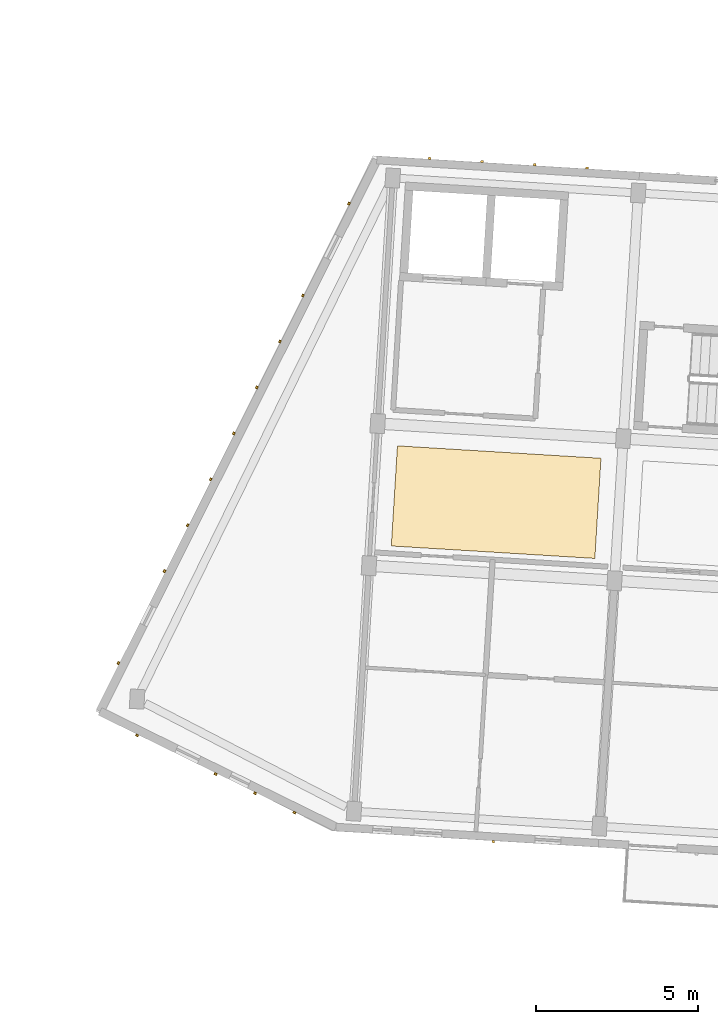
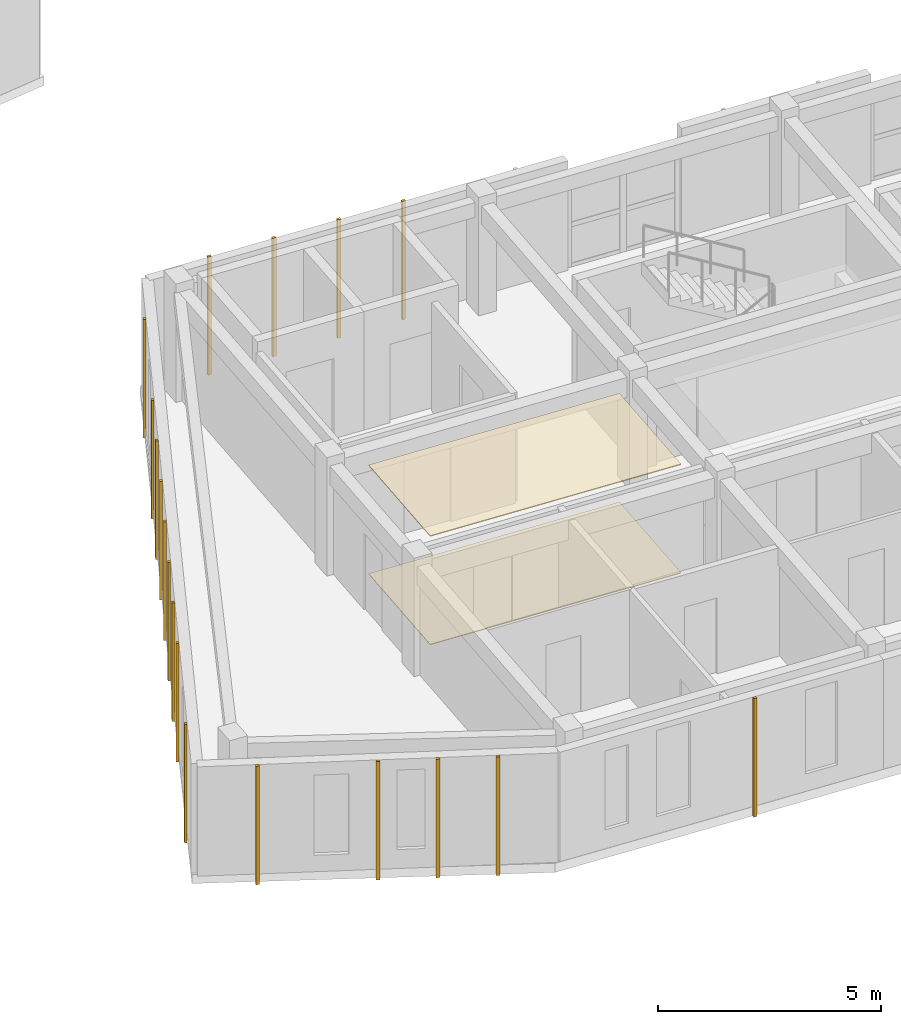
# One storey, part 39 of 64: 20 coverings.
"""IFC4 building model written with IfcOpenShell, lengths in metres."""

from ifc_helpers import new_model, si_unit, direction, frame, origin, origin_2d, place, context, subcontext, project, spatial, polyline, rectangle, outline, extrude, material, layer, layer_set, type_object, element, save


model = new_model("IFC4")

# Units and contexts
model_context = context("Model", 3, precision=1e-05, world=origin(), true_north=direction((0.0, 1.0)))
body_context = subcontext(model_context, "Body", "Model", "MODEL_VIEW")
ifc_project = project(units=[si_unit("LENGTHUNIT", "METRE"), si_unit("AREAUNIT", "SQUARE_METRE"), si_unit("VOLUMEUNIT", "CUBIC_METRE"), si_unit("PLANEANGLEUNIT", "RADIAN"), si_unit("MASSUNIT", "GRAM", prefix="KILO")], contexts=[model_context])

# Site, building, storey
site_placement = place(None, origin())
site = spatial("IfcSite", under=ifc_project, at=site_placement, CompositionType="ELEMENT")
building_placement = place(site_placement, origin())
building = spatial("IfcBuilding", under=site, at=building_placement, Name="Kestramere Prow Commons", CompositionType="ELEMENT")
storey_placement = place(building_placement, frame((0.0, 0.0, 24.64990234375)))
storey = spatial("IfcBuildingStorey", under=building, at=storey_placement, Name="L07", CompositionType="ELEMENT", Elevation=24.64990234375)

# Coverings
ifc_material_1 = material(Name="Mineral Fibre Acoustic Ceiling Tile")
ifc_layer_1 = layer(ifc_material_1, 0.02490234375)
ifc_layer_set_1 = layer_set([ifc_layer_1], Name="Mineral Fibre Acoustic Ceiling Tile")
covering_type_1 = type_object("IfcCoveringType", Name="COV-CEIL-ACOUSTIC", PredefinedType="CEILING", material=ifc_layer_set_1)
covering_1_placement = place(storey_placement, frame((0.0, 0.0, 2.97509765625)))
element("IfcCovering", 1, at=covering_1_placement, inside=storey, type_object=covering_type_1, Name="Block C L07 Corridor Acoustic Ceiling 1", PredefinedType="CEILING", context=body_context, shape_type="SweptSolid", body=[
    extrude(outline(polyline([(60.65234375, 54.69482421875), (66.940673828125, 54.310302734375), (67.1298828125, 57.404541015625), (60.841796875, 57.7890625), (60.65234375, 54.69482421875)])), origin(), (0.0, 0.0, 1.0), 0.02490234375),
])
ifc_material_2 = material(Name="Weathered Zinc-Titanium Standing-Seam Cladding")
ifc_layer_2 = layer(ifc_material_2, 0.074951171875)
ifc_layer_set_2 = layer_set([ifc_layer_2], Name="Weathered Zinc-Titanium Standing-Seam Cladding")
covering_type_2 = type_object("IfcCoveringType", Name="COV-CLAD-SEAM", PredefinedType="CLADDING", material=ifc_layer_set_2)
for number, where, z_axis, x_axis, name in (
    (2, (63.800537109375, 45.55810546875, -0.25), (0.0, 0.0, 1.0), (-0.998134798422, 0.061048539535, 0.0), "EW-C-L07-S-0 Standing-Seam Rib 2"),
    (3, (61.8359375, 66.672607421875, -0.25), (0.0, 0.0, 1.0), (0.998134798422, -0.061048539535, 0.0), "EW-C-L07-N-0 Standing-Seam Rib 1"),
    (4, (63.457763671875, 66.5732421875, -0.25), (0.0, 0.0, 1.0), (0.998134798422, -0.061048539535, 0.0), "EW-C-L07-N-0 Standing-Seam Rib 2"),
    (5, (65.079833984375, 66.47412109375, -0.25), (0.0, 0.0, 1.0), (0.998134798422, -0.061048539535, 0.0), "EW-C-L07-N-0 Standing-Seam Rib 3"),
    (6, (66.70166015625, 66.375, -0.25), (0.0, 0.0, 1.0), (0.998134798422, -0.061048539535, 0.0), "EW-C-L07-N-0 Standing-Seam Rib 4"),
    (7, (57.6572265625, 46.458251953125, -0.25), (0.0, 0.0, 1.0), (-0.897770965065, 0.440462591245, 0.0), "EW-C-L07-PRW-S Standing-Seam Rib 1"),
    (8, (56.4423828125, 47.054443359375, -0.25), (0.0, 0.0, 1.0), (-0.897770965065, 0.440462591245, 0.0), "EW-C-L07-PRW-S Standing-Seam Rib 2"),
    (9, (55.227294921875, 47.650390625, -0.25), (0.0, 0.0, 1.0), (-0.897770965065, 0.440462591245, 0.0), "EW-C-L07-PRW-S Standing-Seam Rib 3"),
    (10, (52.797119140625, 48.8427734375, -0.25), (0.0, 0.0, 1.0), (-0.897770965065, 0.440462591245, 0.0), "EW-C-L07-PRW-S Standing-Seam Rib 5"),
    (11, (52.220947265625, 51.0771484375, -0.25), (0.0, 0.0, 1.0), (0.448620327542, 0.893722441095, 0.0), "EW-C-L07-PRW-N Standing-Seam Rib 1"),
    (12, (53.646240234375, 53.916259765625, -0.25), (0.0, 0.0, 1.0), (0.448620327542, 0.893722441095, 0.0), "EW-C-L07-PRW-N Standing-Seam Rib 3"),
    (13, (54.358642578125, 55.3359375, -0.25), (0.0, 0.0, 1.0), (0.448620327542, 0.893722441095, 0.0), "EW-C-L07-PRW-N Standing-Seam Rib 4"),
    (14, (55.0712890625, 56.75537109375, -0.25), (0.0, 0.0, 1.0), (0.448620327542, 0.893722441095, 0.0), "EW-C-L07-PRW-N Standing-Seam Rib 5"),
    (15, (55.783935546875, 58.175048828125, -0.25), (0.0, 0.0, 1.0), (0.448620327542, 0.893722441095, 0.0), "EW-C-L07-PRW-N Standing-Seam Rib 6"),
    (16, (56.49658203125, 59.594482421875, -0.25), (0.0, 0.0, 1.0), (0.448620327542, 0.893722441095, 0.0), "EW-C-L07-PRW-N Standing-Seam Rib 7"),
    (17, (57.208984375, 61.01416015625, -0.25), (0.0, 0.0, 1.0), (0.448620327542, 0.893722441095, 0.0), "EW-C-L07-PRW-N Standing-Seam Rib 8"),
    (18, (57.921630859375, 62.433837890625, -0.25), (0.0, 0.0, 1.0), (0.448620327542, 0.893722441095, 0.0), "EW-C-L07-PRW-N Standing-Seam Rib 9"),
    (19, (59.3466796875, 65.27294921875, -0.25), (0.0, 0.0, 1.0), (0.448620327542, 0.893722441095, 0.0), "EW-C-L07-PRW-N Standing-Seam Rib 11"),
):
    element("IfcCovering", number, at=place(storey_placement, frame(where, z_axis=z_axis, x_axis=x_axis)), inside=storey, type_object=covering_type_2, Name=name, PredefinedType="CLADDING", context=body_context, shape_type="SweptSolid", body=[
        extrude(rectangle(XDim=0.0849609375, YDim=0.06494140625, at=origin_2d()), origin(), (0.0, 0.0, 1.0), 3.25),
    ])
ifc_material_3 = material(Name="Honed Cementitious Terrazzo Tile")
ifc_layer_3 = layer(ifc_material_3, 0.02001953125)
ifc_layer_set_3 = layer_set([ifc_layer_3], Name="Honed Cementitious Terrazzo Tile")
covering_type_3 = type_object("IfcCoveringType", Name="COV-FLOOR-TERRAZZO", PredefinedType="FLOORING", material=ifc_layer_set_3)
covering_2_placement = place(storey_placement, origin())
element("IfcCovering", 20, at=covering_2_placement, inside=storey, type_object=covering_type_3, Name="Block C L07 Corridor Terrazzo Flooring 1", PredefinedType="FLOORING", context=body_context, shape_type="SweptSolid", body=[
    extrude(outline(polyline([(60.65234375, 54.69482421875), (66.940673828125, 54.310302734375), (67.1298828125, 57.404541015625), (60.841796875, 57.7890625), (60.65234375, 54.69482421875)])), origin(), (0.0, 0.0, 1.0), 0.02001953125),
])

save(model, "model.ifc")
